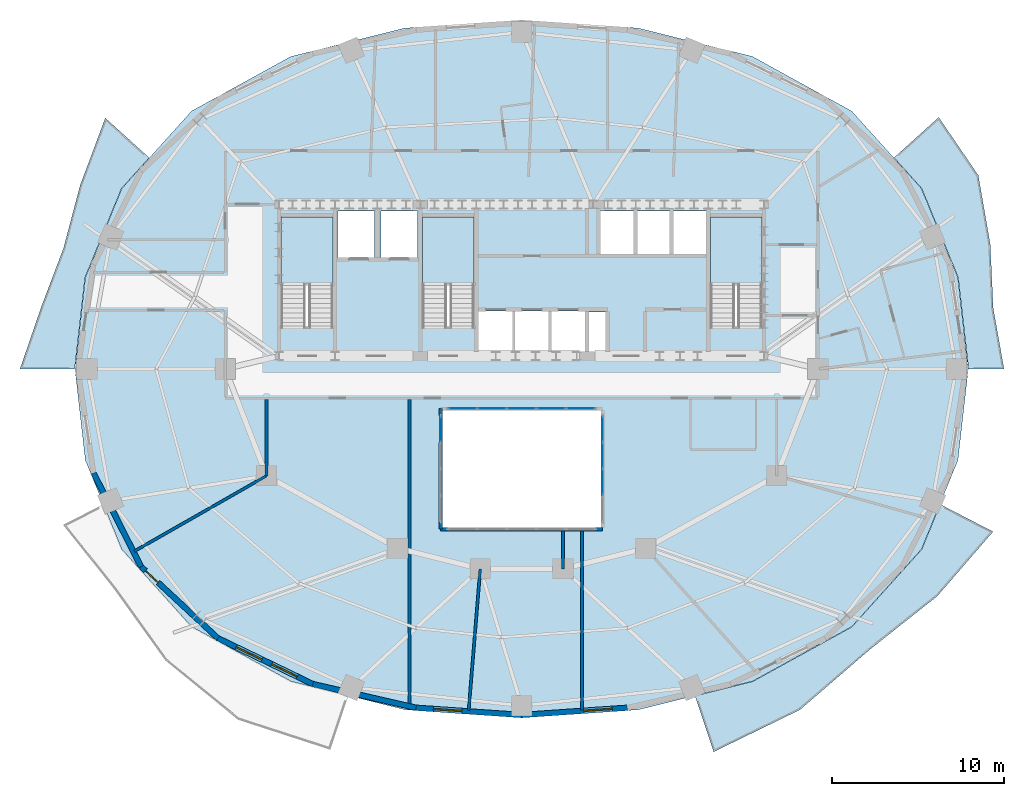
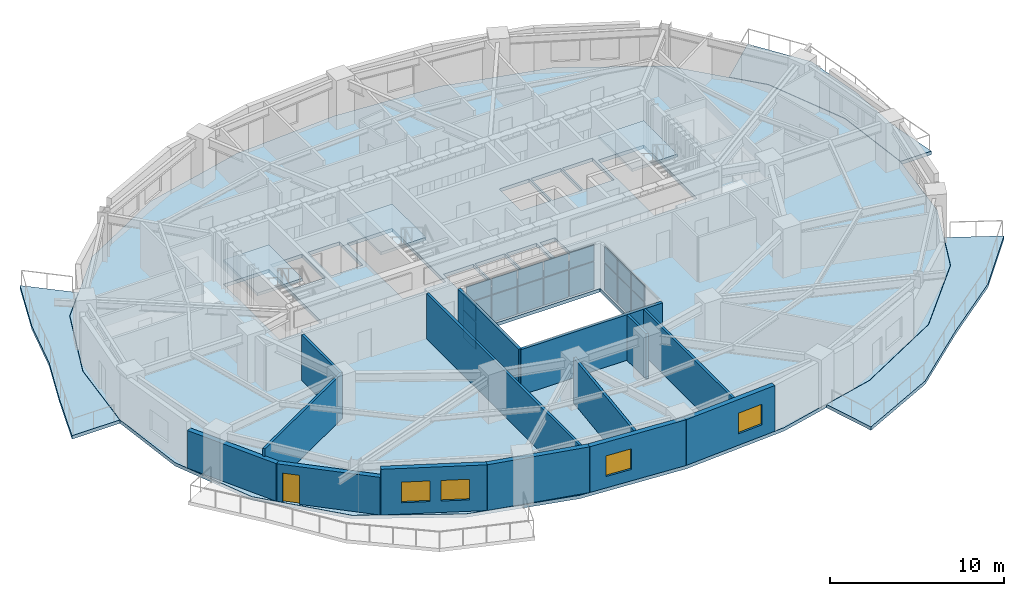
# One storey, part 5 of 13: 18 plates, 14 walls, 7 slabs, 4 windows, 1 door, 5 openings, 6 elements without a shape of their own.
"""IFC4 building model written with IfcOpenShell, lengths in metres."""

from ifc_helpers import new_model, si_unit, direction, frame, frame_2d, origin, origin_2d, place, context, subcontext, project, spatial, polyline, rectangle, outline, extrude, material, layer, layer_set, type_object, element, fill, aggregate, save


model = new_model("IFC4")

# Units and contexts
model_context = context("Model", 3, precision=1e-05, world=origin(), true_north=direction((0.0, 1.0)))
body_context = subcontext(model_context, "Body", "Model", "MODEL_VIEW")
ifc_project = project(units=[si_unit("LENGTHUNIT", "METRE"), si_unit("AREAUNIT", "SQUARE_METRE"), si_unit("VOLUMEUNIT", "CUBIC_METRE"), si_unit("PLANEANGLEUNIT", "RADIAN"), si_unit("MASSUNIT", "GRAM", prefix="KILO")], contexts=[model_context])

# Site, building, storey
site_placement = place(None, origin())
site = spatial("IfcSite", under=ifc_project, at=site_placement, CompositionType="ELEMENT")
building_placement = place(site_placement, origin())
building = spatial("IfcBuilding", under=site, at=building_placement, Name="Haldorwick Loom Tower", CompositionType="ELEMENT")
storey_placement = place(building_placement, frame((0.0, 0.0, 142.550048828125)))
storey = spatial("IfcBuildingStorey", under=building, at=storey_placement, Name="L38", CompositionType="ELEMENT", Elevation=142.550048828125)

# Curtain wall, plates
ifc_material_1 = material(Name="Thermally Broken Anodized Aluminium Curtain Wall Framing", Category="aluminium")
curtain_wall_type = type_object("IfcCurtainWallType", Name="ARC-CW-03", PredefinedType="NOTDEFINED", material=ifc_material_1)
curtain_wall_1_placement = place(storey_placement, origin())
curtain_wall_1 = element("IfcCurtainWall", 1, at=curtain_wall_1_placement, inside=storey, type_object=curtain_wall_type, Name="L38 Atrium Glazed Screen N", PredefinedType="NOTDEFINED")
ifc_material_2 = material(Name="Triple-Glazed Low-E Argon Insulated Glazing Unit", Category="glass")
ifc_layer_1 = layer(ifc_material_2, 0.04296875, Name="Triple-Glazed Low-E Argon Insulated Glazing Unit", Category="glass")
ifc_layer_set_1 = layer_set([ifc_layer_1], Name="Triple-Glazed Low-E Argon Insulated Glazing Unit")
plate_type = type_object("IfcPlateType", Name="ARC-CWP-03", PredefinedType="CURTAIN_PANEL", material=ifc_layer_set_1)
plate_1_placement = place(storey_placement, frame((32.576416015625, 23.699951171875, 0.06591796875), z_axis=(0.0, 0.0, 1.0), x_axis=(1.0, 0.0, 0.0)))
plate_1 = element("IfcPlate", 2, at=plate_1_placement, type_object=plate_type, Name="CW-03 panel 1.1", PredefinedType="CURTAIN_PANEL", context=body_context, shape_type="SweptSolid", body=[
    extrude(rectangle(XDim=1.62109375, YDim=0.04296875, at=origin_2d()), origin(), (0.0, 0.0, 1.0), 1.90087890625),
])
plate_2_placement = place(storey_placement, frame((32.576416015625, 23.699951171875, 2.03271484375), z_axis=(0.0, 0.0, 1.0), x_axis=(1.0, 0.0, 0.0)))
plate_2 = element("IfcPlate", 3, at=plate_2_placement, type_object=plate_type, Name="CW-03 panel 1.2", PredefinedType="CURTAIN_PANEL", context=body_context, shape_type="SweptSolid", body=[
    extrude(rectangle(XDim=1.62109375, YDim=0.04296875, at=origin_2d()), origin(), (0.0, 0.0, 1.0), 1.111083984375),
])
plate_3_placement = place(storey_placement, frame((34.280029296875, 23.699951171875, 0.06591796875), z_axis=(0.0, 0.0, 1.0), x_axis=(1.0, 0.0, 0.0)))
plate_3 = element("IfcPlate", 4, at=plate_3_placement, type_object=plate_type, Name="CW-03 panel 2.1", PredefinedType="CURTAIN_PANEL", context=body_context, shape_type="SweptSolid", body=[
    extrude(rectangle(XDim=1.654052734375, YDim=0.04296875, at=origin_2d()), origin(), (0.0, 0.0, 1.0), 1.90087890625),
])
plate_4_placement = place(storey_placement, frame((34.280029296875, 23.699951171875, 2.03271484375), z_axis=(0.0, 0.0, 1.0), x_axis=(1.0, 0.0, 0.0)))
plate_4 = element("IfcPlate", 5, at=plate_4_placement, type_object=plate_type, Name="CW-03 panel 2.2", PredefinedType="CURTAIN_PANEL", context=body_context, shape_type="SweptSolid", body=[
    extrude(rectangle(XDim=1.654052734375, YDim=0.04296875, at=origin_2d()), origin(), (0.0, 0.0, 1.0), 1.111083984375),
])
plate_5_placement = place(storey_placement, frame((36.0, 23.699951171875, 0.06591796875), z_axis=(0.0, 0.0, 1.0), x_axis=(1.0, 0.0, 0.0)))
plate_5 = element("IfcPlate", 6, at=plate_5_placement, type_object=plate_type, Name="CW-03 panel 3.1", PredefinedType="CURTAIN_PANEL", context=body_context, shape_type="SweptSolid", body=[
    extrude(rectangle(XDim=1.654052734375, YDim=0.04296875, at=origin_2d()), origin(), (0.0, 0.0, 1.0), 1.90087890625),
])
plate_6_placement = place(storey_placement, frame((36.0, 23.699951171875, 2.03271484375), z_axis=(0.0, 0.0, 1.0), x_axis=(1.0, 0.0, 0.0)))
plate_6 = element("IfcPlate", 7, at=plate_6_placement, type_object=plate_type, Name="CW-03 panel 3.2", PredefinedType="CURTAIN_PANEL", context=body_context, shape_type="SweptSolid", body=[
    extrude(rectangle(XDim=1.654052734375, YDim=0.04296875, at=origin_2d()), origin(), (0.0, 0.0, 1.0), 1.111083984375),
])
plate_7_placement = place(storey_placement, frame((37.719970703125, 23.699951171875, 0.06591796875), z_axis=(0.0, 0.0, 1.0), x_axis=(1.0, 0.0, 0.0)))
plate_7 = element("IfcPlate", 8, at=plate_7_placement, type_object=plate_type, Name="CW-03 panel 4.1", PredefinedType="CURTAIN_PANEL", context=body_context, shape_type="SweptSolid", body=[
    extrude(rectangle(XDim=1.654052734375, YDim=0.04296875, at=origin_2d()), origin(), (0.0, 0.0, 1.0), 1.90087890625),
])
plate_8_placement = place(storey_placement, frame((37.719970703125, 23.699951171875, 2.03271484375), z_axis=(0.0, 0.0, 1.0), x_axis=(1.0, 0.0, 0.0)))
plate_8 = element("IfcPlate", 9, at=plate_8_placement, type_object=plate_type, Name="CW-03 panel 4.2", PredefinedType="CURTAIN_PANEL", context=body_context, shape_type="SweptSolid", body=[
    extrude(rectangle(XDim=1.654052734375, YDim=0.04296875, at=origin_2d()), origin(), (0.0, 0.0, 1.0), 1.111083984375),
])
plate_9_placement = place(storey_placement, frame((39.423583984375, 23.699951171875, 0.06591796875), z_axis=(0.0, 0.0, 1.0), x_axis=(1.0, 0.0, 0.0)))
plate_9 = element("IfcPlate", 10, at=plate_9_placement, type_object=plate_type, Name="CW-03 panel 5.1", PredefinedType="CURTAIN_PANEL", context=body_context, shape_type="SweptSolid", body=[
    extrude(rectangle(XDim=1.62109375, YDim=0.04296875, at=origin_2d()), origin(), (0.0, 0.0, 1.0), 1.90087890625),
])
plate_10_placement = place(storey_placement, frame((39.423583984375, 23.699951171875, 2.03271484375), z_axis=(0.0, 0.0, 1.0), x_axis=(1.0, 0.0, 0.0)))
plate_10 = element("IfcPlate", 11, at=plate_10_placement, type_object=plate_type, Name="CW-03 panel 5.2", PredefinedType="CURTAIN_PANEL", context=body_context, shape_type="SweptSolid", body=[
    extrude(rectangle(XDim=1.62109375, YDim=0.04296875, at=origin_2d()), origin(), (0.0, 0.0, 1.0), 1.111083984375),
])
aggregate(curtain_wall_1, [plate_1, plate_2, plate_3, plate_4, plate_5, plate_6, plate_7, plate_8, plate_9, plate_10])

curtain_wall_2_placement = place(storey_placement, origin())
curtain_wall_2 = element("IfcCurtainWall", 12, at=curtain_wall_2_placement, inside=storey, type_object=curtain_wall_type, Name="L38 Atrium Glazed Screen W", PredefinedType="NOTDEFINED")
plate_11_placement = place(storey_placement, frame((31.300048828125, 22.508544921875, 0.06591796875), z_axis=(0.0, 0.0, 1.0), x_axis=(0.0, 1.0, 0.0)))
plate_11 = element("IfcPlate", 13, at=plate_11_placement, type_object=plate_type, Name="CW-03 panel 4.1", PredefinedType="CURTAIN_PANEL", context=body_context, shape_type="SweptSolid", body=[
    extrude(rectangle(XDim=1.450927734375, YDim=0.04296875, at=origin_2d()), origin(), (0.0, 0.0, 1.0), 1.90087890625),
])
plate_12_placement = place(storey_placement, frame((31.300048828125, 22.508544921875, 2.03271484375), z_axis=(0.0, 0.0, 1.0), x_axis=(0.0, 1.0, 0.0)))
plate_12 = element("IfcPlate", 14, at=plate_12_placement, type_object=plate_type, Name="CW-03 panel 4.2", PredefinedType="CURTAIN_PANEL", context=body_context, shape_type="SweptSolid", body=[
    extrude(rectangle(XDim=1.450927734375, YDim=0.04296875, at=origin_2d()), origin(), (0.0, 0.0, 1.0), 1.111083984375),
])
aggregate(curtain_wall_2, [plate_11, plate_12])

curtain_wall_3_placement = place(storey_placement, origin())
curtain_wall_3 = element("IfcCurtainWall", 15, at=curtain_wall_3_placement, inside=storey, type_object=curtain_wall_type, Name="L38 Atrium Glazed Screen E", PredefinedType="NOTDEFINED")
plate_13_placement = place(storey_placement, frame((40.699951171875, 22.508544921875, 0.06591796875), z_axis=(0.0, 0.0, 1.0), x_axis=(0.0, -1.0, 0.0)))
plate_13 = element("IfcPlate", 16, at=plate_13_placement, type_object=plate_type, Name="CW-03 panel 1.1", PredefinedType="CURTAIN_PANEL", context=body_context, shape_type="SweptSolid", body=[
    extrude(rectangle(XDim=1.450927734375, YDim=0.04296875, at=origin_2d()), origin(), (0.0, 0.0, 1.0), 1.90087890625),
])
plate_14_placement = place(storey_placement, frame((40.699951171875, 22.508544921875, 2.03271484375), z_axis=(0.0, 0.0, 1.0), x_axis=(0.0, -1.0, 0.0)))
plate_14 = element("IfcPlate", 17, at=plate_14_placement, type_object=plate_type, Name="CW-03 panel 1.2", PredefinedType="CURTAIN_PANEL", context=body_context, shape_type="SweptSolid", body=[
    extrude(rectangle(XDim=1.450927734375, YDim=0.04296875, at=origin_2d()), origin(), (0.0, 0.0, 1.0), 1.111083984375),
])
plate_15_placement = place(storey_placement, frame((40.699951171875, 20.97509765625, 0.06591796875), z_axis=(0.0, 0.0, 1.0), x_axis=(0.0, -1.0, 0.0)))
plate_15 = element("IfcPlate", 18, at=plate_15_placement, type_object=plate_type, Name="CW-03 panel 2.1", PredefinedType="CURTAIN_PANEL", context=body_context, shape_type="SweptSolid", body=[
    extrude(rectangle(XDim=1.48388671875, YDim=0.04296875, at=origin_2d()), origin(), (0.0, 0.0, 1.0), 1.90087890625),
])
plate_16_placement = place(storey_placement, frame((40.699951171875, 20.97509765625, 2.03271484375), z_axis=(0.0, 0.0, 1.0), x_axis=(0.0, -1.0, 0.0)))
plate_16 = element("IfcPlate", 19, at=plate_16_placement, type_object=plate_type, Name="CW-03 panel 2.2", PredefinedType="CURTAIN_PANEL", context=body_context, shape_type="SweptSolid", body=[
    extrude(rectangle(XDim=1.48388671875, YDim=0.04296875, at=origin_2d()), origin(), (0.0, 0.0, 1.0), 1.111083984375),
])
plate_17_placement = place(storey_placement, frame((40.699951171875, 19.425048828125, 0.06591796875), z_axis=(0.0, 0.0, 1.0), x_axis=(0.0, -1.0, 0.0)))
plate_17 = element("IfcPlate", 20, at=plate_17_placement, type_object=plate_type, Name="CW-03 panel 3.1", PredefinedType="CURTAIN_PANEL", context=body_context, shape_type="SweptSolid", body=[
    extrude(rectangle(XDim=1.48388671875, YDim=0.04296875, at=origin_2d()), origin(), (0.0, 0.0, 1.0), 1.90087890625),
])
plate_18_placement = place(storey_placement, frame((40.699951171875, 19.425048828125, 2.03271484375), z_axis=(0.0, 0.0, 1.0), x_axis=(0.0, -1.0, 0.0)))
plate_18 = element("IfcPlate", 21, at=plate_18_placement, type_object=plate_type, Name="CW-03 panel 3.2", PredefinedType="CURTAIN_PANEL", context=body_context, shape_type="SweptSolid", body=[
    extrude(rectangle(XDim=1.48388671875, YDim=0.04296875, at=origin_2d()), origin(), (0.0, 0.0, 1.0), 1.111083984375),
])
aggregate(curtain_wall_3, [plate_13, plate_14, plate_15, plate_16, plate_17, plate_18])

# Slabs
ifc_material_3 = material(Name="Concrete C40 (40 MPa)", Category="concrete")
ifc_layer_2 = layer(ifc_material_3, 0.239990234375, Name="Concrete C40 (40 MPa)", Category="concrete")
ifc_layer_set_2 = layer_set([ifc_layer_2], Name="Concrete C40 (40 MPa)")
slab_type_1 = type_object("IfcSlabType", Name="STR-SLB-BAL240", PredefinedType="FLOOR", material=ifc_layer_set_2)
slab_1_placement = place(storey_placement, frame((0.0, 0.0, -0.239990234375)))
element("IfcSlab", 22, at=slab_1_placement, inside=storey, type_object=slab_type_1, Name="L38 Sinusoidal Balcony Terrace BAL_SE", PredefinedType="FLOOR", context=body_context, shape_type="SweptSolid", body=[
    extrude(outline(polyline([(60.2841796875, 18.141357421875), (59.216064453125, 15.530517578125), (59.21533203125, 15.529296875), (59.21484375, 15.528076171875), (59.214111328125, 15.527099609375), (59.213134765625, 15.526123046875), (55.16162109375, 11.031005859375), (55.16064453125, 11.02978515625), (55.1591796875, 11.028564453125), (55.15771484375, 11.02783203125), (49.40283203125, 7.863037109375), (49.40185546875, 7.8623046875), (49.400634765625, 7.86181640625), (49.3994140625, 7.861572265625), (46.05908203125, 7.027587890625), (47.1416015625, 3.783447265625), (52.1513671875, 6.222412109375), (56.19189453125, 9.707763671875), (60.12548828125, 12.824951171875), (63.35400390625, 16.555908203125), (60.2841796875, 18.141357421875)])), origin(), (0.0, 0.0, 1.0), 0.239990234375),
])
slab_2_placement = place(storey_placement, frame((0.0, 0.0, -0.239990234375)))
element("IfcSlab", 23, at=slab_2_placement, inside=storey, type_object=slab_type_1, Name="L38 Sinusoidal Balcony Terrace BAL_WNW", PredefinedType="FLOOR", context=body_context, shape_type="SweptSolid", body=[
    extrude(outline(polyline([(10.068115234375, 26.0), (10.068115234375, 26.001708984375), (10.669677734375, 31.30029296875), (10.669921875, 31.3017578125), (10.670166015625, 31.302978515625), (10.670654296875, 31.30419921875), (12.783935546875, 36.469482421875), (12.78466796875, 36.470703125), (12.78515625, 36.4716796875), (12.785888671875, 36.472900390625), (12.786865234375, 36.473876953125), (14.390380859375, 38.25341796875), (11.8447265625, 40.55517578125), (10.38623046875, 36.66259765625), (9.417236328125, 32.998291015625), (8.13720703125, 29.617431640625), (6.89453125, 26.0), (10.068115234375, 26.0)])), origin(), (0.0, 0.0, 1.0), 0.239990234375),
])
slab_3_placement = place(storey_placement, frame((0.0, 0.0, -0.239990234375)))
element("IfcSlab", 24, at=slab_3_placement, inside=storey, type_object=slab_type_1, Name="L38 Sinusoidal Balcony Terrace BAL_ENE", PredefinedType="FLOOR", context=body_context, shape_type="SweptSolid", body=[
    extrude(outline(polyline([(57.609619140625, 38.25341796875), (59.213134765625, 36.473876953125), (59.214111328125, 36.472900390625), (59.21484375, 36.4716796875), (59.21533203125, 36.470703125), (59.216064453125, 36.469482421875), (61.329345703125, 31.30419921875), (61.329833984375, 31.302978515625), (61.330078125, 31.3017578125), (61.330322265625, 31.30029296875), (61.931884765625, 26.001708984375), (61.931884765625, 26.0), (63.988525390625, 26.0), (63.36572265625, 29.5166015625), (63.18896484375, 33.25048828125), (62.494384765625, 37.237060546875), (60.2001953125, 40.59716796875), (57.609619140625, 38.25341796875)])), origin(), (0.0, 0.0, 1.0), 0.239990234375),
])

# Stair, slab
stair_type = type_object("IfcStairType", Name="STR-STR-CORE", PredefinedType="HALF_TURN_STAIR", material=ifc_material_3)
stair_1_placement = place(storey_placement, origin())
stair_1 = element("IfcStair", 25, at=stair_1_placement, inside=storey, type_object=stair_type, Name="L38 Exit Stair ST-01", PredefinedType="HALF_TURN_STAIR")
ifc_layer_3 = layer(ifc_material_3, 0.199951171875, Name="Concrete C40 (40 MPa)", Category="concrete")
ifc_layer_set_3 = layer_set([ifc_layer_3], Name="Concrete C40 (40 MPa)")
slab_type_2 = type_object("IfcSlabType", Name="STR-SLB-LAND200", PredefinedType="LANDING", material=ifc_layer_set_3)
slab_4_placement = place(storey_placement, frame((0.0, 0.0, 1.52490234375)))
slab_4 = element("IfcSlab", 26, at=slab_4_placement, type_object=slab_type_2, Name="ST-01 landing 1", PredefinedType="LANDING", context=body_context, shape_type="SweptSolid", body=[
    extrude(outline(polyline([(25.050048828125, 30.919921875), (25.050048828125, 34.800048828125), (22.050048828125, 34.800048828125), (22.050048828125, 30.919921875), (25.050048828125, 30.919921875)])), origin(), (0.0, 0.0, 1.0), 0.199951171875),
])
aggregate(stair_1, [slab_4])

stair_2_placement = place(storey_placement, origin())
stair_2 = element("IfcStair", 27, at=stair_2_placement, inside=storey, type_object=stair_type, Name="L38 Exit Stair ST-02", PredefinedType="HALF_TURN_STAIR")
slab_5_placement = place(storey_placement, frame((0.0, 0.0, 1.52490234375)))
slab_5 = element("IfcSlab", 28, at=slab_5_placement, type_object=slab_type_2, Name="ST-02 landing 1", PredefinedType="LANDING", context=body_context, shape_type="SweptSolid", body=[
    extrude(outline(polyline([(49.949951171875, 30.919921875), (49.949951171875, 34.800048828125), (46.949951171875, 34.800048828125), (46.949951171875, 30.919921875), (49.949951171875, 30.919921875)])), origin(), (0.0, 0.0, 1.0), 0.199951171875),
])
aggregate(stair_2, [slab_5])

stair_3_placement = place(storey_placement, origin())
stair_3 = element("IfcStair", 29, at=stair_3_placement, inside=storey, type_object=stair_type, Name="L38 Exit Stair ST-03", PredefinedType="HALF_TURN_STAIR")
slab_6_placement = place(storey_placement, frame((0.0, 0.0, 1.52490234375)))
slab_6 = element("IfcSlab", 30, at=slab_6_placement, type_object=slab_type_2, Name="ST-03 landing 1", PredefinedType="LANDING", context=body_context, shape_type="SweptSolid", body=[
    extrude(outline(polyline([(33.25, 30.919921875), (33.25, 34.800048828125), (30.25, 34.800048828125), (30.25, 30.919921875), (33.25, 30.919921875)])), origin(), (0.0, 0.0, 1.0), 0.199951171875),
])
aggregate(stair_3, [slab_6])

# Slab
ifc_layer_4 = layer(ifc_material_3, 0.239990234375, Name="Concrete C40 (40 MPa)", Category="concrete")
ifc_layer_set_4 = layer_set([ifc_layer_4], Name="Concrete C40 (40 MPa)")
slab_type_3 = type_object("IfcSlabType", Name="STR-SLB-RES240", PredefinedType="FLOOR", material=ifc_layer_set_4)
slab_7_placement = place(storey_placement, frame((0.0, 0.0, -0.239990234375)))
element("IfcSlab", 31, at=slab_7_placement, inside=storey, type_object=slab_type_3, Name="L38 Residential Structural Floor Slab", PredefinedType="FLOOR", context=body_context, shape_type="SweptSolid", body=[
    extrude(outline(polyline([(55.150634765625, 11.041015625), (59.2021484375, 15.5361328125), (61.3154296875, 20.701416015625), (61.9169921875, 26.0), (61.3154296875, 31.298583984375), (59.2021484375, 36.4638671875), (55.150634765625, 40.958984375), (49.395751953125, 44.123779296875), (42.783203125, 45.774658203125), (36.0, 46.24462890625), (29.216796875, 45.774658203125), (22.604248046875, 44.123779296875), (16.849365234375, 40.958984375), (12.7978515625, 36.4638671875), (10.6845703125, 31.298583984375), (10.0830078125, 26.0), (10.6845703125, 20.701416015625), (12.7978515625, 15.5361328125), (16.849365234375, 11.041015625), (22.604248046875, 7.876220703125), (29.216796875, 6.225341796875), (36.0, 5.75537109375), (42.783203125, 6.225341796875), (49.395751953125, 7.876220703125), (55.150634765625, 11.041015625)]), holes=[polyline([(31.39990234375, 16.800048828125), (31.39990234375, 23.60009765625), (40.60009765625, 23.60009765625), (40.60009765625, 16.800048828125), (31.39990234375, 16.800048828125)]), polyline([(33.5, 26.85009765625), (33.5, 29.35009765625), (35.5, 29.35009765625), (35.5, 26.85009765625), (33.5, 26.85009765625)]), polyline([(35.60009765625, 26.85009765625), (35.60009765625, 29.35009765625), (37.60009765625, 29.35009765625), (37.60009765625, 26.85009765625), (35.60009765625, 26.85009765625)]), polyline([(23.6201171875, 28.39990234375), (22.050048828125, 28.39990234375), (22.050048828125, 34.800048828125), (25.050048828125, 34.800048828125), (25.050048828125, 28.639892578125), (23.6201171875, 28.639892578125), (23.6201171875, 28.39990234375)]), polyline([(30.25, 28.39990234375), (30.25, 34.800048828125), (33.25, 34.800048828125), (33.25, 28.639892578125), (31.820068359375, 28.639892578125), (31.820068359375, 28.39990234375), (30.25, 28.39990234375)]), polyline([(25.35009765625, 32.449951171875), (25.35009765625, 35.14990234375), (27.449951171875, 35.14990234375), (27.449951171875, 32.449951171875), (25.35009765625, 32.449951171875)]), polyline([(29.949951171875, 32.449951171875), (27.85009765625, 32.449951171875), (27.85009765625, 35.14990234375), (29.949951171875, 35.14990234375), (29.949951171875, 32.449951171875)]), polyline([(37.699951171875, 26.85009765625), (37.699951171875, 29.35009765625), (39.699951171875, 29.35009765625), (39.699951171875, 26.85009765625), (37.699951171875, 26.85009765625)]), polyline([(39.89990234375, 26.89990234375), (39.89990234375, 29.300048828125), (40.89990234375, 29.300048828125), (40.89990234375, 26.89990234375), (39.89990234375, 26.89990234375)]), polyline([(46.949951171875, 28.39990234375), (46.949951171875, 34.800048828125), (49.949951171875, 34.800048828125), (49.949951171875, 28.639892578125), (48.52001953125, 28.639892578125), (48.52001953125, 28.39990234375), (46.949951171875, 28.39990234375)]), polyline([(40.550048828125, 32.64990234375), (40.550048828125, 35.14990234375), (42.550048828125, 35.14990234375), (42.550048828125, 32.64990234375), (40.550048828125, 32.64990234375)]), polyline([(42.64990234375, 32.64990234375), (42.64990234375, 35.14990234375), (44.64990234375, 35.14990234375), (44.64990234375, 32.64990234375), (42.64990234375, 32.64990234375)]), polyline([(44.75, 32.64990234375), (44.75, 35.14990234375), (46.75, 35.14990234375), (46.75, 32.64990234375), (44.75, 32.64990234375)])]), origin(), (0.0, 0.0, 1.0), 0.239990234375),
])

# Wall
ifc_material_4 = material(Name="Pressed Clay Face Brick and Insulated Masonry Backup Assembly", Category="masonry")
ifc_layer_5 = layer(ifc_material_4, 0.320068359375, Name="Pressed Clay Face Brick and Insulated Masonry Backup Assembly", Category="masonry")
ifc_layer_set_5 = layer_set([ifc_layer_5], Name="Pressed Clay Face Brick and Insulated Masonry Backup Assembly")
wall_type_1 = type_object("IfcWallType", Name="ARC-WL-EXT320", PredefinedType="STANDARD", material=ifc_layer_set_5)
wall_1_placement = place(storey_placement, frame((11.1650390625, 19.944580078125, 0.0), z_axis=(0.0, 0.0, 1.0), x_axis=(0.453172129629, -0.89142303141, 0.0)))
element("IfcWall", 32, at=wall_1_placement, inside=storey, type_object=wall_type_1, Name="L38 Brick Pier and Spandrel Wall 14", PredefinedType="STANDARD", context=body_context, shape_type="SweptSolid", body=[
    extrude(rectangle(XDim=6.086669921875, YDim=0.320068359375, at=frame_2d((3.04345703125, 0.0))), origin(), (0.0, 0.0, 1.0), 2.640869140625),
])

# Wall, opening, door
wall_2_placement = place(storey_placement, frame((13.92333984375, 14.518798828125, 0.0), z_axis=(0.0, 0.0, 1.0), x_axis=(0.732001571644, -0.681302942244, 0.0)))
wall_2 = element("IfcWall", 33, at=wall_2_placement, inside=storey, type_object=wall_type_1, Name="L38 Brick Pier and Spandrel Wall 15", PredefinedType="STANDARD", context=body_context, shape_type="SweptSolid", body=[
    extrude(rectangle(XDim=6.0869140625, YDim=0.320068359375, at=frame_2d((3.04345703125, 0.0))), origin(), (0.0, 0.0, 1.0), 2.640869140625),
])
opening_1_placement = place(wall_2_placement, frame((0.340087890625, 0.0, 0.0)))
opening_1 = element("IfcOpeningElement", 34, at=opening_1_placement, cuts=wall_2, Name="Opening D-BL10", PredefinedType="OPENING", context=body_context, shape_type="SweptSolid", body=[
    extrude(rectangle(XDim=1.0, YDim=2.0400390625, at=frame_2d((0.5, 1.02001953125))), frame((0.0, 0.169921875, 0.0), z_axis=(0.0, -1.0, 0.0), x_axis=(1.0, 0.0, 0.0)), (0.0, 0.0, 1.0), 0.340087890625),
])
door_type = type_object("IfcDoorType", Name="ARC-DR-BAL100", OperationType="NOTDEFINED", PredefinedType="DOOR", material=ifc_material_1)
door_placement = place(opening_1_placement, origin())
door = element("IfcDoor", 35, at=door_placement, inside=storey, type_object=door_type, Name="L38 Outdoor Terrace Door SLB-L38-BAL_SW", OperationType="SINGLE_SWING_LEFT", OverallHeight=2.0400390625, OverallWidth=1.0, PredefinedType="DOOR", context=body_context, shape_type="SweptSolid", body=[
    extrude(rectangle(XDim=1.0, YDim=2.0400390625, at=frame_2d((0.5, 1.02001953125))), frame((0.0, 0.02490234375, 0.0), z_axis=(0.0, -1.0, 0.0), x_axis=(1.0, 0.0, 0.0)), (0.0, 0.0, 1.0), 0.050048828125),
])
fill(opening_1, door)

# Wall, openings, windows
wall_3_placement = place(storey_placement, frame((18.37890625, 10.371826171875, 0.0), z_axis=(0.0, 0.0, 1.0), x_axis=(0.900472429216, -0.43491309962, 0.0)))
wall_3 = element("IfcWall", 36, at=wall_3_placement, inside=storey, type_object=wall_type_1, Name="L38 Brick Pier and Spandrel Wall 16", PredefinedType="STANDARD", context=body_context, shape_type="SweptSolid", body=[
    extrude(rectangle(XDim=6.1181640625, YDim=0.320068359375, at=frame_2d((3.05908203125, 0.0))), origin(), (0.0, 0.0, 1.0), 3.2099609375),
])
opening_2_placement = place(wall_3_placement, frame((1.181884765625, 0.0, 0.800048828125)))
opening_2 = element("IfcOpeningElement", 37, at=opening_2_placement, cuts=wall_3, Name="Opening W-01B", PredefinedType="OPENING", context=body_context, shape_type="SweptSolid", body=[
    extrude(rectangle(XDim=1.64990234375, YDim=1.449951171875, at=frame_2d((0.824951171875, 0.72509765625))), frame((0.0, 0.169921875, 0.0), z_axis=(0.0, -1.0, 0.0), x_axis=(1.0, 0.0, 0.0)), (0.0, 0.0, 1.0), 0.340087890625),
])
opening_3_placement = place(wall_3_placement, frame((3.4580078125, 0.0, 0.800048828125)))
opening_3 = element("IfcOpeningElement", 38, at=opening_3_placement, cuts=wall_3, Name="Opening W-01B", PredefinedType="OPENING", context=body_context, shape_type="SweptSolid", body=[
    extrude(rectangle(XDim=1.64990234375, YDim=1.449951171875, at=frame_2d((0.824951171875, 0.72509765625))), frame((0.0, 0.169921875, 0.0), z_axis=(0.0, -1.0, 0.0), x_axis=(1.0, 0.0, 0.0)), (0.0, 0.0, 1.0), 0.340087890625),
])
window_type = type_object("IfcWindowType", Name="ARC-WIN-W165", PartitioningType="SINGLE_PANEL", PredefinedType="WINDOW", material=ifc_material_2)
window_1_placement = place(opening_2_placement, origin())
window_1 = element("IfcWindow", 39, at=window_1_placement, inside=storey, type_object=window_type, Name="L38 Deep-Set Zone 7A Window 16", OverallHeight=1.449951171875, OverallWidth=1.64990234375, PartitioningType="SINGLE_PANEL", PredefinedType="WINDOW", context=body_context, shape_type="SweptSolid", body=[
    extrude(rectangle(XDim=1.64990234375, YDim=1.449951171875, at=frame_2d((0.824951171875, 0.72509765625))), frame((0.0, 0.030029296875, 0.0), z_axis=(0.0, -1.0, 0.0), x_axis=(1.0, 0.0, 0.0)), (0.0, 0.0, 1.0), 0.06005859375),
])
fill(opening_2, window_1)
window_2_placement = place(opening_3_placement, origin())
window_2 = element("IfcWindow", 40, at=window_2_placement, inside=storey, type_object=window_type, Name="L38 Deep-Set Zone 7A Window 16", OverallHeight=1.449951171875, OverallWidth=1.64990234375, PartitioningType="SINGLE_PANEL", PredefinedType="WINDOW", context=body_context, shape_type="SweptSolid", body=[
    extrude(rectangle(XDim=1.64990234375, YDim=1.449951171875, at=frame_2d((0.824951171875, 0.72509765625))), frame((0.0, 0.030029296875, 0.0), z_axis=(0.0, -1.0, 0.0), x_axis=(1.0, 0.0, 0.0)), (0.0, 0.0, 1.0), 0.06005859375),
])
fill(opening_3, window_2)

# Wall
wall_4_placement = place(storey_placement, frame((23.88818359375, 7.7109375, 0.0), z_axis=(0.0, 0.0, 1.0), x_axis=(0.974593223547, -0.223982250674, 0.0)))
element("IfcWall", 41, at=wall_4_placement, inside=storey, type_object=wall_type_1, Name="L38 Brick Pier and Spandrel Wall 17", PredefinedType="STANDARD", context=body_context, shape_type="SweptSolid", body=[
    extrude(rectangle(XDim=6.138916015625, YDim=0.320068359375, at=frame_2d((3.0693359375, 0.0))), origin(), (0.0, 0.0, 1.0), 3.2099609375),
])

# Wall, opening, window
wall_5_placement = place(storey_placement, frame((29.87109375, 6.3359375, 0.0), z_axis=(0.0, 0.0, 1.0), x_axis=(0.997652942988, -0.068473391522, 0.0)))
wall_5 = element("IfcWall", 42, at=wall_5_placement, inside=storey, type_object=wall_type_1, Name="L38 Brick Pier and Spandrel Wall 18", PredefinedType="STANDARD", context=body_context, shape_type="SweptSolid", body=[
    extrude(rectangle(XDim=6.143310546875, YDim=0.320068359375, at=frame_2d((3.07177734375, 0.0))), origin(), (0.0, 0.0, 1.0), 3.2099609375),
])
opening_4_placement = place(wall_5_placement, frame((1.01806640625, 0.0, 0.800048828125)))
opening_4 = element("IfcOpeningElement", 43, at=opening_4_placement, cuts=wall_5, Name="Opening W-01B", PredefinedType="OPENING", context=body_context, shape_type="SweptSolid", body=[
    extrude(rectangle(XDim=1.64990234375, YDim=1.449951171875, at=frame_2d((0.824951171875, 0.72509765625))), frame((0.0, 0.169921875, 0.0), z_axis=(0.0, -1.0, 0.0), x_axis=(1.0, 0.0, 0.0)), (0.0, 0.0, 1.0), 0.340087890625),
])
window_3_placement = place(opening_4_placement, origin())
window_3 = element("IfcWindow", 44, at=window_3_placement, inside=storey, type_object=window_type, Name="L38 Deep-Set Zone 7A Window 18", OverallHeight=1.449951171875, OverallWidth=1.64990234375, PartitioningType="SINGLE_PANEL", PredefinedType="WINDOW", context=body_context, shape_type="SweptSolid", body=[
    extrude(rectangle(XDim=1.64990234375, YDim=1.449951171875, at=frame_2d((0.824951171875, 0.72509765625))), frame((0.0, 0.030029296875, 0.0), z_axis=(0.0, -1.0, 0.0), x_axis=(1.0, 0.0, 0.0)), (0.0, 0.0, 1.0), 0.06005859375),
])
fill(opening_4, window_3)

wall_6_placement = place(storey_placement, frame((36.0, 5.915283203125, 0.0), z_axis=(0.0, 0.0, 1.0), x_axis=(0.997652942988, 0.068473391522, 0.0)))
wall_6 = element("IfcWall", 45, at=wall_6_placement, inside=storey, type_object=wall_type_1, Name="L38 Brick Pier and Spandrel Wall 19", PredefinedType="STANDARD", context=body_context, shape_type="SweptSolid", body=[
    extrude(rectangle(XDim=6.143310546875, YDim=0.320068359375, at=frame_2d((3.07177734375, 0.0))), origin(), (0.0, 0.0, 1.0), 3.2099609375),
])
opening_5_placement = place(wall_6_placement, frame((3.6171875, 0.0, 0.800048828125)))
opening_5 = element("IfcOpeningElement", 46, at=opening_5_placement, cuts=wall_6, Name="Opening W-01B", PredefinedType="OPENING", context=body_context, shape_type="SweptSolid", body=[
    extrude(rectangle(XDim=1.64990234375, YDim=1.449951171875, at=frame_2d((0.824951171875, 0.72509765625))), frame((0.0, 0.169921875, 0.0), z_axis=(0.0, -1.0, 0.0), x_axis=(1.0, 0.0, 0.0)), (0.0, 0.0, 1.0), 0.340087890625),
])
window_4_placement = place(opening_5_placement, origin())
window_4 = element("IfcWindow", 47, at=window_4_placement, inside=storey, type_object=window_type, Name="L38 Deep-Set Zone 7A Window 19", OverallHeight=1.449951171875, OverallWidth=1.64990234375, PartitioningType="SINGLE_PANEL", PredefinedType="WINDOW", context=body_context, shape_type="SweptSolid", body=[
    extrude(rectangle(XDim=1.64990234375, YDim=1.449951171875, at=frame_2d((0.824951171875, 0.72509765625))), frame((0.0, 0.030029296875, 0.0), z_axis=(0.0, -1.0, 0.0), x_axis=(1.0, 0.0, 0.0)), (0.0, 0.0, 1.0), 0.06005859375),
])
fill(opening_5, window_4)

# Walls
ifc_material_5 = material(Name="Fire-Rated Type X Gypsum Stud Assembly EI 60")
ifc_layer_6 = layer(ifc_material_5, 0.159912109375, Name="Fire-Rated Type X Gypsum Stud Assembly EI 60")
ifc_layer_set_6 = layer_set([ifc_layer_6], Name="Fire-Rated Type X Gypsum Stud Assembly EI 60")
wall_type_2 = type_object("IfcWallType", Name="ARC-WL-FIRE160", PredefinedType="PARTITIONING", material=ifc_layer_set_6)
wall_7_placement = place(storey_placement, frame((33.60009765625, 14.39990234375, 0.0), z_axis=(0.0, 0.0, 1.0), x_axis=(-0.081755025594, -0.996652454866, 0.0)))
element("IfcWall", 48, at=wall_7_placement, inside=storey, type_object=wall_type_2, Name="L38 Residential Fire Partition L38-ICR-08", PredefinedType="PARTITIONING", context=body_context, shape_type="SweptSolid", body=[
    extrude(rectangle(XDim=8.236083984375, YDim=0.159912109375, at=frame_2d((4.1181640625, 0.0))), origin(), (0.0, 0.0, 1.0), 3.195068359375),
])
wall_8_placement = place(storey_placement, frame((21.199951171875, 19.800048828125, 0.0), z_axis=(0.0, 0.0, 1.0), x_axis=(-0.868375898677, -0.495906542201, 0.0)))
element("IfcWall", 49, at=wall_8_placement, inside=storey, type_object=wall_type_2, Name="L38 Residential Fire Partition L38-ICR-11", PredefinedType="PARTITIONING", context=body_context, shape_type="SweptSolid", body=[
    extrude(rectangle(XDim=8.8251953125, YDim=0.159912109375, at=frame_2d((4.41259765625, 0.0))), origin(), (0.0, 0.0, 1.0), 3.195068359375),
])
wall_9_placement = place(storey_placement, frame((29.5, 6.488037109375, 0.0), z_axis=(0.0, 0.0, 1.0), x_axis=(0.0, 1.0, 0.0)))
element("IfcWall", 50, at=wall_9_placement, inside=storey, type_object=wall_type_2, Name="L38 Residential Fire Partition L38-SBP-0", PredefinedType="PARTITIONING", context=body_context, shape_type="SweptSolid", body=[
    extrude(rectangle(XDim=17.72900390625, YDim=0.159912109375, at=frame_2d((8.864501953125, 0.0))), origin(), (0.0, 0.0, 1.0), 3.195068359375),
])
wall_10_placement = place(storey_placement, frame((39.5, 6.220703125, 0.0), z_axis=(0.0, 0.0, 1.0), x_axis=(0.0, 1.0, 0.0)))
element("IfcWall", 51, at=wall_10_placement, inside=storey, type_object=wall_type_2, Name="L38 Residential Fire Partition L38-SBP-1", PredefinedType="PARTITIONING", context=body_context, shape_type="SweptSolid", body=[
    extrude(rectangle(XDim=10.376220703125, YDim=0.159912109375, at=frame_2d((5.18798828125, 0.0))), origin(), (0.0, 0.0, 1.0), 3.195068359375),
])
wall_11_placement = place(storey_placement, frame((38.39990234375, 16.596923828125, 0.0), z_axis=(0.0, 0.0, 1.0), x_axis=(0.0, -1.0, 0.0)))
element("IfcWall", 52, at=wall_11_placement, inside=storey, type_object=wall_type_2, Name="L38 Residential Fire Partition L38-ICA-06", PredefinedType="PARTITIONING", context=body_context, shape_type="SweptSolid", body=[
    extrude(rectangle(XDim=2.197021484375, YDim=0.159912109375, at=frame_2d((1.0986328125, 0.0))), origin(), (0.0, 0.0, 1.0), 3.195068359375),
])
wall_12_placement = place(storey_placement, frame((21.199951171875, 24.217041015625, 0.0), z_axis=(0.0, 0.0, 1.0), x_axis=(0.0, -1.0, 0.0)))
element("IfcWall", 53, at=wall_12_placement, inside=storey, type_object=wall_type_2, Name="L38 Residential Fire Partition L38-ICA-10", PredefinedType="PARTITIONING", context=body_context, shape_type="SweptSolid", body=[
    extrude(rectangle(XDim=4.4169921875, YDim=0.159912109375, at=frame_2d((2.20849609375, 0.0))), origin(), (0.0, 0.0, 1.0), 3.195068359375),
])
ifc_material_6 = material(Name="Fire-Rated Type X Gypsum Stud Assembly EI 120")
ifc_layer_7 = layer(ifc_material_6, 0.199951171875, Name="Fire-Rated Type X Gypsum Stud Assembly EI 120")
ifc_layer_set_7 = layer_set([ifc_layer_7], Name="Fire-Rated Type X Gypsum Stud Assembly EI 120")
wall_type_3 = type_object("IfcWallType", Name="ARC-WL-FIRE200", PredefinedType="PARTITIONING", material=ifc_layer_set_7)
wall_13_placement = place(storey_placement, frame((40.699951171875, 16.699951171875, 0.0), z_axis=(0.0, 0.0, 1.0), x_axis=(-1.0, 0.0, 0.0)))
element("IfcWall", 54, at=wall_13_placement, inside=storey, type_object=wall_type_3, Name="L38 Atrium Fire Enclosure Wall S", PredefinedType="PARTITIONING", context=body_context, shape_type="SweptSolid", body=[
    extrude(rectangle(XDim=9.39990234375, YDim=0.199951171875, at=frame_2d((4.699951171875, 0.0))), origin(), (0.0, 0.0, 1.0), 3.195068359375),
])
wall_14_placement = place(storey_placement, frame((31.300048828125, 16.699951171875, 0.0), z_axis=(0.0, 0.0, 1.0), x_axis=(0.0, 1.0, 0.0)))
element("IfcWall", 55, at=wall_14_placement, inside=storey, type_object=wall_type_3, Name="L38 Atrium Fire Enclosure Wall W", PredefinedType="PARTITIONING", context=body_context, shape_type="SweptSolid", body=[
    extrude(rectangle(XDim=7.0, YDim=0.199951171875, at=frame_2d((3.5, 0.0))), origin(), (0.0, 0.0, 1.0), 3.195068359375),
])

save(model, "model.ifc")
